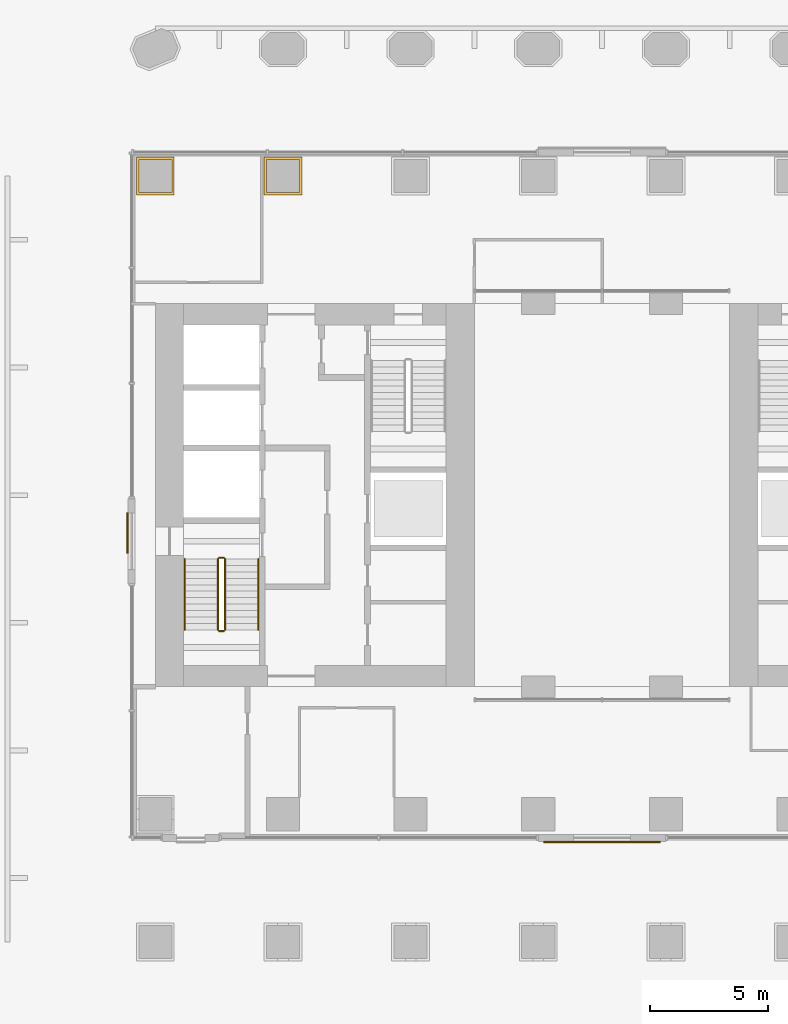
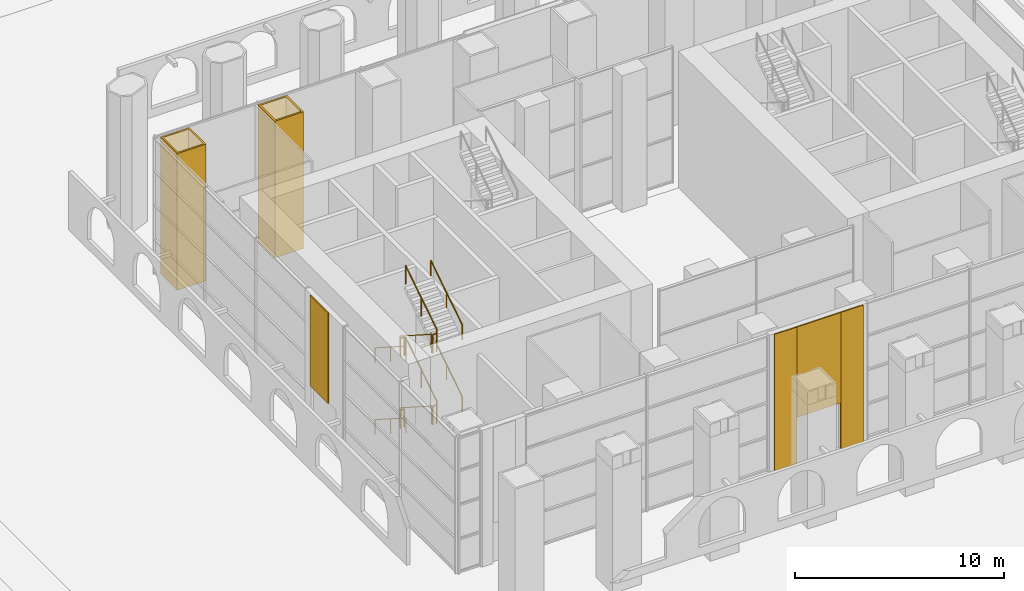
# One storey, part 42 of 54: 12 railings, 6 coverings.
"""IFC4 building model written with IfcOpenShell, lengths in metres."""

from ifc_helpers import new_model, si_unit, direction, frame, frame_2d, origin, origin_2d, place, context, subcontext, project, spatial, polyline, rectangle, circle, outline, extrude, material, layer, layer_set, type_object, element, save


model = new_model("IFC4")

# Units and contexts
model_context = context("Model", 3, precision=1e-05, world=origin(), true_north=direction((0.0, 1.0)))
body_context = subcontext(model_context, "Body", "Model", "MODEL_VIEW")
ifc_project = project(units=[si_unit("LENGTHUNIT", "METRE"), si_unit("AREAUNIT", "SQUARE_METRE"), si_unit("VOLUMEUNIT", "CUBIC_METRE"), si_unit("PLANEANGLEUNIT", "RADIAN"), si_unit("MASSUNIT", "GRAM", prefix="KILO")], contexts=[model_context])

# Site, building, storey
site_placement = place(None, origin())
site = spatial("IfcSite", under=ifc_project, at=site_placement, CompositionType="ELEMENT")
building_placement = place(site_placement, origin())
building = spatial("IfcBuilding", under=site, at=building_placement, Name="Tabaq Tower and Sports Hall", CompositionType="ELEMENT")
storey_placement = place(building_placement, origin())
storey = spatial("IfcBuildingStorey", under=building, at=storey_placement, Name="L00", CompositionType="ELEMENT", Elevation=0.0)

# Coverings
ifc_material_1 = material(Name="Precast concrete C60/75", Category="concrete")
ifc_layer_1 = layer(ifc_material_1, 0.10009765625)
ifc_layer_set_1 = layer_set([ifc_layer_1], Name="Column cladding 100")
covering_type_1 = type_object("IfcCoveringType", Name="Column cladding 100", PredefinedType="CLADDING", material=ifc_layer_set_1)
covering_1_placement = place(storey_placement, origin())
element("IfcCovering", 1, at=covering_1_placement, inside=storey, type_object=covering_type_1, Name="Column cladding L00 CC-2H-G", PredefinedType="CLADDING", context=body_context, shape_type="SweptSolid", body=[
    extrude(outline(polyline([(4.600341796875, 38.599609375), (6.19970703125, 38.599609375), (6.19970703125, 37.000244140625), (4.600341796875, 37.000244140625), (4.600341796875, 38.599609375)]), holes=[polyline([(6.100341796875, 37.099609375), (6.100341796875, 38.500244140625), (4.69970703125, 38.500244140625), (4.69970703125, 37.099609375), (6.100341796875, 37.099609375)])]), origin(), (0.0, 0.0, 1.0), 8.0),
])
covering_2_placement = place(storey_placement, origin())
element("IfcCovering", 2, at=covering_2_placement, inside=storey, type_object=covering_type_1, Name="Column cladding L00 CC-3H-G", PredefinedType="CLADDING", context=body_context, shape_type="SweptSolid", body=[
    extrude(outline(polyline([(10.000244140625, 38.599609375), (11.599609375, 38.599609375), (11.599609375, 37.000244140625), (10.000244140625, 37.000244140625), (10.000244140625, 38.599609375)]), holes=[polyline([(11.500244140625, 37.099609375), (11.500244140625, 38.500244140625), (10.099609375, 38.500244140625), (10.099609375, 37.099609375), (11.500244140625, 37.099609375)])]), origin(), (0.0, 0.0, 1.0), 8.0),
])

# Railings
ifc_material_2 = material(Name="Stainless steel", Category="steel")
railing_type_1 = type_object("IfcRailingType", Name="Stair guard", PredefinedType="GUARDRAIL", material=ifc_material_2)
railing_1_placement = place(storey_placement, frame((8.050048828125, 21.60009765625, 0.175048828125)))
element("IfcRailing", 3, at=railing_1_placement, inside=storey, type_object=railing_type_1, Name="L00 ST1 stair guard 1", PredefinedType="GUARDRAIL", context=body_context, shape_type="SweptSolid", body=[
    extrude(circle(Radius=0.02392578125, at=origin_2d()), frame((0.0, 0.0, 1.076171875), z_axis=(0.0, -0.841627708785, 0.540058144838), x_axis=(1.0, 0.0, 0.0)), (0.0, 0.0, 1.0), 3.564453125),
    extrude(circle(Radius=0.02099609375, at=origin_2d()), origin(), (0.0, 0.0, 1.0), 1.052001953125),
    extrude(circle(Radius=0.02099609375, at=origin_2d()), frame((0.0, -1.5, 0.96240234375)), (0.0, 0.0, 1.0), 1.052001953125),
    extrude(circle(Radius=0.02099609375, at=origin_2d()), frame((0.0, -3.0, 1.925048828125)), (0.0, 0.0, 1.0), 1.052001953125),
])
railing_2_placement = place(storey_placement, frame((8.10009765625, 18.550048828125, 2.10009765625)))
element("IfcRailing", 4, at=railing_2_placement, inside=storey, type_object=railing_type_1, Name="L00 ST1 stair guard 2", PredefinedType="GUARDRAIL", context=body_context, shape_type="SweptSolid", body=[
    extrude(circle(Radius=0.02392578125, at=origin_2d()), frame((0.0, 0.0, 1.076171875), z_axis=(1.0, 0.0, 0.0), x_axis=(0.0, 1.0, 0.0)), (0.0, 0.0, 1.0), 0.199951171875),
    extrude(circle(Radius=0.02099609375, at=origin_2d()), origin(), (0.0, 0.0, 1.0), 1.052001953125),
    extrude(circle(Radius=0.02099609375, at=origin_2d()), frame((0.199951171875, 0.0, 0.0)), (0.0, 0.0, 1.0), 1.052001953125),
])
railing_3_placement = place(storey_placement, frame((8.35009765625, 18.60009765625, 2.27490234375)))
element("IfcRailing", 5, at=railing_3_placement, inside=storey, type_object=railing_type_1, Name="L00 ST1 stair guard 3", PredefinedType="GUARDRAIL", context=body_context, shape_type="SweptSolid", body=[
    extrude(circle(Radius=0.02392578125, at=origin_2d()), frame((0.0, 0.0, 1.076171875), z_axis=(0.0, 0.841627708785, 0.540058144838), x_axis=(-1.0, 0.0, 0.0)), (0.0, 0.0, 1.0), 3.564453125),
    extrude(circle(Radius=0.02099609375, at=origin_2d()), origin(), (0.0, 0.0, 1.0), 1.052001953125),
    extrude(circle(Radius=0.02099609375, at=origin_2d()), frame((0.0, 1.5, 0.96240234375)), (0.0, 0.0, 1.0), 1.052001953125),
    extrude(circle(Radius=0.02099609375, at=origin_2d()), frame((0.0, 3.0, 1.925048828125)), (0.0, 0.0, 1.0), 1.052001953125),
])
railing_4_placement = place(storey_placement, frame((8.10009765625, 21.64990234375, 4.199951171875)))
element("IfcRailing", 6, at=railing_4_placement, inside=storey, type_object=railing_type_1, Name="L00 ST1 stair guard 4", PredefinedType="GUARDRAIL", context=body_context, shape_type="SweptSolid", body=[
    extrude(circle(Radius=0.02392578125, at=origin_2d()), frame((0.0, 0.0, 1.076171875), z_axis=(1.0, 0.0, 0.0), x_axis=(0.0, 1.0, 0.0)), (0.0, 0.0, 1.0), 0.199951171875),
    extrude(circle(Radius=0.02099609375, at=origin_2d()), origin(), (0.0, 0.0, 1.0), 1.052001953125),
    extrude(circle(Radius=0.02099609375, at=origin_2d()), frame((0.199951171875, 0.0, 0.0)), (0.0, 0.0, 1.0), 1.052001953125),
])
railing_5_placement = place(storey_placement, frame((8.050048828125, 21.60009765625, 4.375)))
element("IfcRailing", 7, at=railing_5_placement, inside=storey, type_object=railing_type_1, Name="L00 ST1 stair guard 5", PredefinedType="GUARDRAIL", context=body_context, shape_type="SweptSolid", body=[
    extrude(circle(Radius=0.02392578125, at=origin_2d()), frame((0.0, 0.0, 1.076171875), z_axis=(0.0, -0.841627708785, 0.540058144838), x_axis=(1.0, 0.0, 0.0)), (0.0, 0.0, 1.0), 3.564453125),
    extrude(circle(Radius=0.02099609375, at=origin_2d()), origin(), (0.0, 0.0, 1.0), 1.052001953125),
    extrude(circle(Radius=0.02099609375, at=origin_2d()), frame((0.0, -1.5, 0.96240234375)), (0.0, 0.0, 1.0), 1.052001953125),
    extrude(circle(Radius=0.02099609375, at=origin_2d()), frame((0.0, -3.0, 1.925048828125)), (0.0, 0.0, 1.0), 1.052001953125),
])
railing_6_placement = place(storey_placement, frame((8.10009765625, 18.550048828125, 6.300048828125)))
element("IfcRailing", 8, at=railing_6_placement, inside=storey, type_object=railing_type_1, Name="L00 ST1 stair guard 6", PredefinedType="GUARDRAIL", context=body_context, shape_type="SweptSolid", body=[
    extrude(circle(Radius=0.02392578125, at=origin_2d()), frame((0.0, 0.0, 1.076171875), z_axis=(1.0, 0.0, 0.0), x_axis=(0.0, 1.0, 0.0)), (0.0, 0.0, 1.0), 0.199951171875),
    extrude(circle(Radius=0.02099609375, at=origin_2d()), origin(), (0.0, 0.0, 1.0), 1.052001953125),
    extrude(circle(Radius=0.02099609375, at=origin_2d()), frame((0.199951171875, 0.0, 0.0)), (0.0, 0.0, 1.0), 1.052001953125),
])
railing_7_placement = place(storey_placement, frame((8.35009765625, 18.60009765625, 6.47509765625)))
element("IfcRailing", 9, at=railing_7_placement, inside=storey, type_object=railing_type_1, Name="L00 ST1 stair guard 7", PredefinedType="GUARDRAIL", context=body_context, shape_type="SweptSolid", body=[
    extrude(circle(Radius=0.02392578125, at=origin_2d()), frame((0.0, 0.0, 1.076171875), z_axis=(0.0, 0.841658839989, 0.540009626829), x_axis=(-1.0, 0.0, 0.0)), (0.0, 0.0, 1.0), 3.564453125),
    extrude(circle(Radius=0.02099609375, at=origin_2d()), origin(), (0.0, 0.0, 1.0), 1.052001953125),
    extrude(circle(Radius=0.02099609375, at=origin_2d()), frame((0.0, 1.5, 0.96240234375)), (0.0, 0.0, 1.0), 1.052001953125),
    extrude(circle(Radius=0.02099609375, at=origin_2d()), frame((0.0, 3.0, 1.9248046875)), (0.0, 0.0, 1.0), 1.052001953125),
])
railing_8_placement = place(storey_placement, frame((8.10009765625, 21.64990234375, 0.0)))
element("IfcRailing", 10, at=railing_8_placement, inside=storey, type_object=railing_type_1, Name="L00 ST1 stair guard 8", PredefinedType="GUARDRAIL", context=body_context, shape_type="SweptSolid", body=[
    extrude(circle(Radius=0.02392578125, at=origin_2d()), frame((0.0, 0.0, 1.076171875), z_axis=(1.0, 0.0, 0.0), x_axis=(0.0, 1.0, 0.0)), (0.0, 0.0, 1.0), 0.199951171875),
    extrude(circle(Radius=0.02099609375, at=origin_2d()), origin(), (0.0, 0.0, 1.0), 1.052001953125),
    extrude(circle(Radius=0.02099609375, at=origin_2d()), frame((0.199951171875, 0.0, 0.0)), (0.0, 0.0, 1.0), 1.052001953125),
])
ifc_material_3 = material(Name="Stainless steel", Category="steel")
railing_type_2 = type_object("IfcRailingType", Name="Stair handrail", PredefinedType="HANDRAIL", material=ifc_material_3)
railing_9_placement = place(storey_placement, frame((6.64990234375, 21.60009765625, 0.175048828125)))
element("IfcRailing", 11, at=railing_9_placement, inside=storey, type_object=railing_type_2, Name="L00 ST1 stair handrail 1", PredefinedType="HANDRAIL", context=body_context, shape_type="SweptSolid", body=[
    extrude(circle(Radius=0.02392578125, at=origin_2d()), frame((0.0, 0.0, 0.8759765625), z_axis=(0.0, -0.841627708785, 0.540058144838), x_axis=(1.0, 0.0, 0.0)), (0.0, 0.0, 1.0), 3.564453125),
    extrude(circle(Radius=0.02099609375, at=origin_2d()), origin(), (0.0, 0.0, 1.0), 0.851806640625),
    extrude(circle(Radius=0.02099609375, at=origin_2d()), frame((0.0, -1.5, 0.96240234375)), (0.0, 0.0, 1.0), 0.851806640625),
    extrude(circle(Radius=0.02099609375, at=origin_2d()), frame((0.0, -3.0, 1.925048828125)), (0.0, 0.0, 1.0), 0.851806640625),
])
railing_10_placement = place(storey_placement, frame((9.75, 18.60009765625, 2.27490234375)))
element("IfcRailing", 12, at=railing_10_placement, inside=storey, type_object=railing_type_2, Name="L00 ST1 stair handrail 2", PredefinedType="HANDRAIL", context=body_context, shape_type="SweptSolid", body=[
    extrude(circle(Radius=0.02392578125, at=origin_2d()), frame((0.0, 0.0, 0.8759765625), z_axis=(0.0, 0.841627708785, 0.540058144838), x_axis=(-1.0, 0.0, 0.0)), (0.0, 0.0, 1.0), 3.564453125),
    extrude(circle(Radius=0.02099609375, at=origin_2d()), origin(), (0.0, 0.0, 1.0), 0.851806640625),
    extrude(circle(Radius=0.02099609375, at=origin_2d()), frame((0.0, 1.5, 0.96240234375)), (0.0, 0.0, 1.0), 0.851806640625),
    extrude(circle(Radius=0.02099609375, at=origin_2d()), frame((0.0, 3.0, 1.925048828125)), (0.0, 0.0, 1.0), 0.851806640625),
])
railing_11_placement = place(storey_placement, frame((6.64990234375, 21.60009765625, 4.375)))
element("IfcRailing", 13, at=railing_11_placement, inside=storey, type_object=railing_type_2, Name="L00 ST1 stair handrail 3", PredefinedType="HANDRAIL", context=body_context, shape_type="SweptSolid", body=[
    extrude(circle(Radius=0.02392578125, at=origin_2d()), frame((0.0, 0.0, 0.8759765625), z_axis=(0.0, -0.841627708785, 0.540058144838), x_axis=(1.0, 0.0, 0.0)), (0.0, 0.0, 1.0), 3.564453125),
    extrude(circle(Radius=0.02099609375, at=origin_2d()), origin(), (0.0, 0.0, 1.0), 0.851806640625),
    extrude(circle(Radius=0.02099609375, at=origin_2d()), frame((0.0, -1.5, 0.96240234375)), (0.0, 0.0, 1.0), 0.851806640625),
    extrude(circle(Radius=0.02099609375, at=origin_2d()), frame((0.0, -3.0, 1.925048828125)), (0.0, 0.0, 1.0), 0.851806640625),
])
railing_12_placement = place(storey_placement, frame((9.75, 18.60009765625, 6.47509765625)))
element("IfcRailing", 14, at=railing_12_placement, inside=storey, type_object=railing_type_2, Name="L00 ST1 stair handrail 4", PredefinedType="HANDRAIL", context=body_context, shape_type="SweptSolid", body=[
    extrude(circle(Radius=0.02392578125, at=origin_2d()), frame((0.0, 0.0, 0.8759765625), z_axis=(0.0, 0.841658839989, 0.540009626829), x_axis=(-1.0, 0.0, 0.0)), (0.0, 0.0, 1.0), 3.564453125),
    extrude(circle(Radius=0.02099609375, at=origin_2d()), origin(), (0.0, 0.0, 1.0), 0.851806640625),
    extrude(circle(Radius=0.02099609375, at=origin_2d()), frame((0.0, 1.5, 0.96240234375)), (0.0, 0.0, 1.0), 0.851806640625),
    extrude(circle(Radius=0.02099609375, at=origin_2d()), frame((0.0, 3.0, 1.9248046875)), (0.0, 0.0, 1.0), 0.851806640625),
])

# Coverings
ifc_material_4 = material(Name="Precast concrete C60/75", Category="concrete")
ifc_layer_2 = layer(ifc_material_4, 0.06005859375)
ifc_layer_set_2 = layer_set([ifc_layer_2], Name="White precast cladding panel 60 C60/75")
covering_type_2 = type_object("IfcCoveringType", Name="White precast cladding panel 60 C60/75", PredefinedType="CLADDING", material=ifc_layer_set_2)
covering_3_placement = place(storey_placement, frame((26.764892578125, 9.6201171875, 0.0), z_axis=(0.0, 0.0, 1.0), x_axis=(-1.0, 0.0, 0.0)))
element("IfcCovering", 15, at=covering_3_placement, inside=storey, type_object=covering_type_2, Name="White precast cladding panel L00 ringS1", PredefinedType="CLADDING", context=body_context, shape_type="SweptSolid", body=[
    extrude(rectangle(XDim=1.2548828125, YDim=0.06005859375, at=frame_2d((0.62744140625, 0.0))), origin(), (0.0, 0.0, 1.0), 8.0),
])
covering_4_placement = place(storey_placement, frame((25.510009765625, 9.6201171875, 2.7099609375), z_axis=(0.0, 0.0, 1.0), x_axis=(-1.0, 0.0, 0.0)))
element("IfcCovering", 16, at=covering_4_placement, inside=storey, type_object=covering_type_2, Name="White precast cladding panel L00 ringS1 2", PredefinedType="CLADDING", context=body_context, shape_type="SweptSolid", body=[
    extrude(rectangle(XDim=2.419921875, YDim=0.06005859375, at=frame_2d((1.2099609375, 0.0))), origin(), (0.0, 0.0, 1.0), 5.2900390625),
])
covering_5_placement = place(storey_placement, frame((23.090087890625, 9.6201171875, 0.0), z_axis=(0.0, 0.0, 1.0), x_axis=(-1.0, 0.0, 0.0)))
element("IfcCovering", 17, at=covering_5_placement, inside=storey, type_object=covering_type_2, Name="White precast cladding panel L00 ringS1 3", PredefinedType="CLADDING", context=body_context, shape_type="SweptSolid", body=[
    extrude(rectangle(XDim=1.255126953125, YDim=0.06005859375, at=frame_2d((0.62744140625, 0.0))), origin(), (0.0, 0.0, 1.0), 8.0),
])
covering_6_placement = place(storey_placement, frame((4.219970703125, 21.8349609375, 2.7099609375), z_axis=(0.0, 0.0, 1.0), x_axis=(0.0, 1.0, 0.0)))
element("IfcCovering", 18, at=covering_6_placement, inside=storey, type_object=covering_type_2, Name="White precast cladding panel L00 ringW1", PredefinedType="CLADDING", context=body_context, shape_type="SweptSolid", body=[
    extrude(rectangle(XDim=1.72509765625, YDim=0.06005859375, at=frame_2d((0.862548828125, 0.0))), origin(), (0.0, 0.0, 1.0), 5.2900390625),
])

save(model, "model.ifc")
